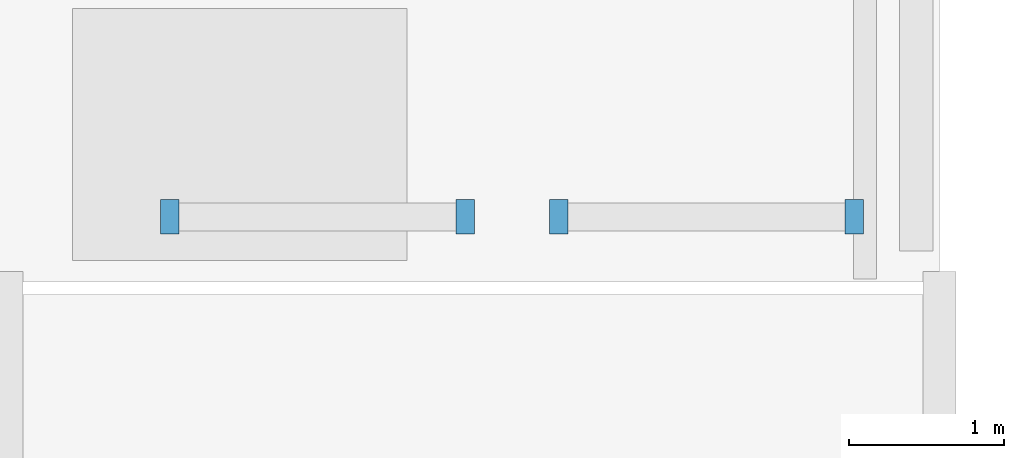
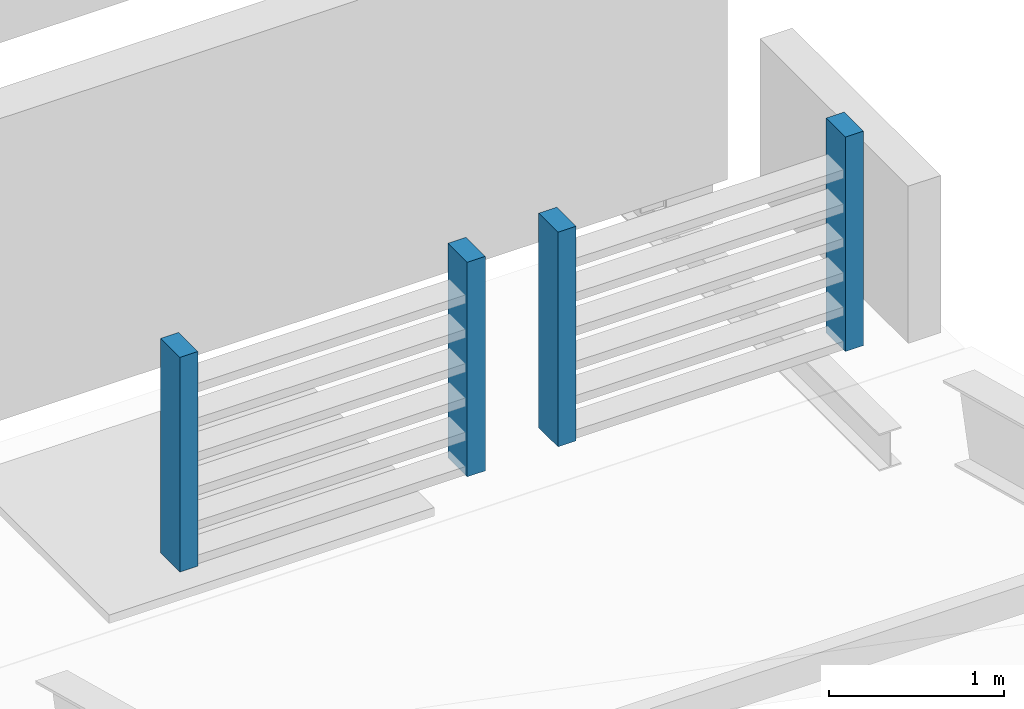
# One storey, part 68 of 74: 4 discrete accessories.
"""IFC4 building model written with IfcOpenShell, lengths in metres."""

from ifc_helpers import new_model, si_unit, direction, frame, origin, origin_2d, place, context, subcontext, project, spatial, rectangle, extrude, material, type_object, element, save


model = new_model("IFC4")

# Units and contexts
model_context = context("Model", 3, precision=1e-05, world=origin(), true_north=direction((0.0, 1.0)))
body_context = subcontext(model_context, "Body", "Model", "MODEL_VIEW")
ifc_project = project(units=[si_unit("LENGTHUNIT", "METRE"), si_unit("AREAUNIT", "SQUARE_METRE"), si_unit("VOLUMEUNIT", "CUBIC_METRE"), si_unit("PLANEANGLEUNIT", "RADIAN"), si_unit("MASSUNIT", "GRAM", prefix="KILO")], contexts=[model_context])

# Site, building, storey
site_placement = place(None, origin())
site = spatial("IfcSite", under=ifc_project, at=site_placement, CompositionType="ELEMENT")
building_placement = place(site_placement, origin())
building = spatial("IfcBuilding", under=site, at=building_placement, Name="Siltcreek Boulevard Central Fire Station", CompositionType="ELEMENT")
storey_placement = place(building_placement, frame((0.0, 0.0, 25.199951171875)))
storey = spatial("IfcBuildingStorey", under=building, at=storey_placement, Name="RF", CompositionType="ELEMENT", Elevation=25.199951171875)

# Discrete accessories
ifc_material = material(Name="Hot-dip galvanized steel facade outrigger bracket", Category="steel")
discrete_accessory_type = type_object("IfcDiscreteAccessoryType", Name="ACC_BRACKET", PredefinedType="BRACKET", material=ifc_material)
for number, where, z_axis, x_axis, name in (
    (1, (57.550048828125, 106.6201171875, 0.0), (0.0, 0.0, 1.0), (1.0, 0.0, 0.0), "Rooftop louvre frame support post V3S.1.1"),
    (2, (59.449951171875, 106.6201171875, 0.0), (0.0, 0.0, 1.0), (1.0, 0.0, 0.0), "Rooftop louvre frame support post V3S.1.2"),
    (3, (55.050048828125, 106.6201171875, 0.0), (0.0, 0.0, 1.0), (1.0, 0.0, 0.0), "Rooftop louvre frame support post V3S.2.1"),
    (4, (56.949951171875, 106.6201171875, 0.0), (0.0, 0.0, 1.0), (1.0, 0.0, 0.0), "Rooftop louvre frame support post V3S.2.2"),
):
    element("IfcDiscreteAccessory", number, at=place(storey_placement, frame(where, z_axis=z_axis, x_axis=x_axis)), inside=storey, type_object=discrete_accessory_type, Name=name, PredefinedType="BRACKET", context=body_context, shape_type="SweptSolid", body=[
        extrude(rectangle(XDim=0.1201171875, YDim=0.219970703125, at=origin_2d()), origin(), (0.0, 0.0, 1.0), 1.5),
    ])

save(model, "model.ifc")
